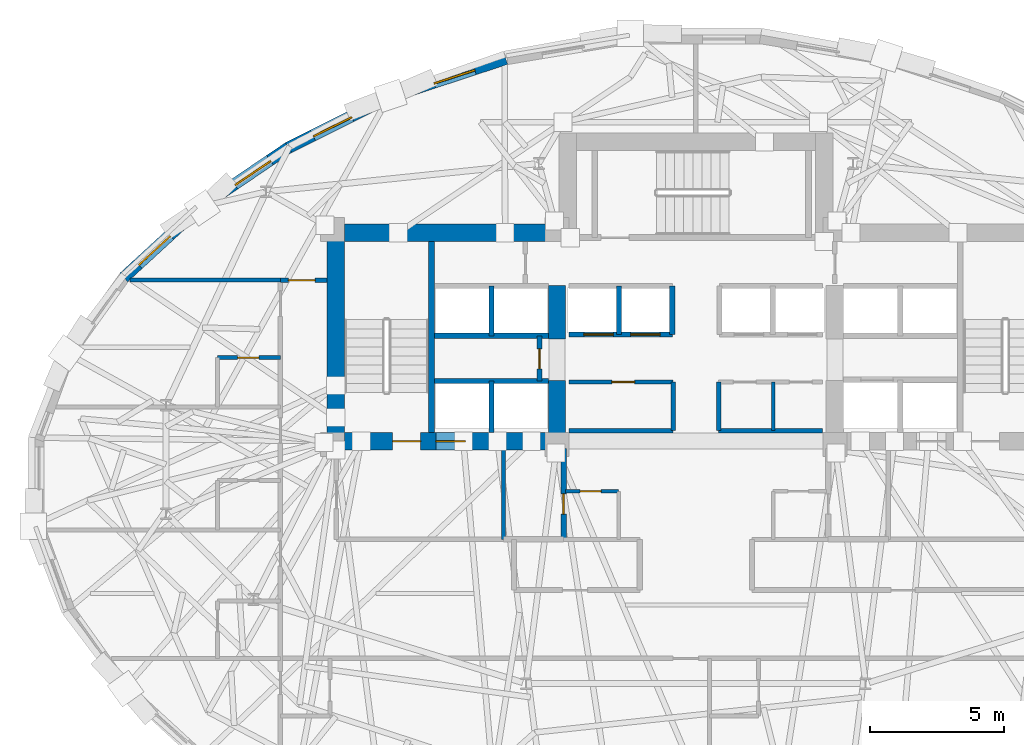
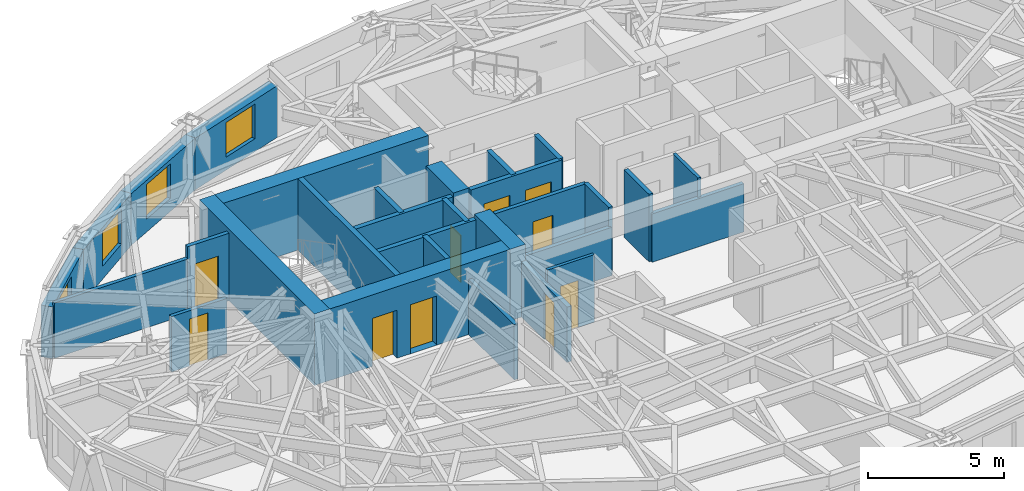
# One storey, part 7 of 14: 30 walls, 10 doors, 4 windows, 14 openings.
"""IFC4 building model written with IfcOpenShell, lengths in metres."""

from ifc_helpers import new_model, si_unit, direction, frame, frame_2d, origin, place, context, subcontext, project, spatial, rectangle, extrude, material, layer, layer_set, type_object, element, fill, save


model = new_model("IFC4")

# Units and contexts
model_context = context("Model", 3, precision=1e-05, world=origin(), true_north=direction((0.0, 1.0)))
body_context = subcontext(model_context, "Body", "Model", "MODEL_VIEW")
ifc_project = project(units=[si_unit("LENGTHUNIT", "METRE"), si_unit("AREAUNIT", "SQUARE_METRE"), si_unit("VOLUMEUNIT", "CUBIC_METRE"), si_unit("PLANEANGLEUNIT", "RADIAN"), si_unit("MASSUNIT", "GRAM", prefix="KILO")], contexts=[model_context])

# Site, building, storey
site_placement = place(None, origin())
site = spatial("IfcSite", under=ifc_project, at=site_placement, CompositionType="ELEMENT")
building_placement = place(site_placement, origin())
building = spatial("IfcBuilding", under=site, at=building_placement, Name="Keldmark Tower", CompositionType="ELEMENT")
storey_placement = place(building_placement, frame((0.0, 0.0, 172.60009765625)))
storey = spatial("IfcBuildingStorey", under=building, at=storey_placement, Name="L47", CompositionType="ELEMENT", Elevation=172.60009765625)

# Wall, opening, door
ifc_material_1 = material(Name="Acoustic Gypsum Board Interior Partition", Category="gypsum")
ifc_layer_1 = layer(ifc_material_1, 0.1298828125)
ifc_layer_set_1 = layer_set([ifc_layer_1], Name="Acoustic Gypsum Board Interior Partition")
wall_type_1 = type_object("IfcWallType", Name="Interior Partition 130 mm", PredefinedType="PARTITIONING", material=ifc_layer_set_1)
wall_1_placement = place(storey_placement, frame((-4.8798828125, -0.35009765625, 0.0), z_axis=(0.0, 0.0, 1.0), x_axis=(1.0, 0.0, 0.0)))
wall_1 = element("IfcWall", 1, at=wall_1_placement, inside=storey, type_object=wall_type_1, Name="L47 Interior Partition 130 mm CSC-W-N", PredefinedType="PARTITIONING", context=body_context, shape_type="SweptSolid", body=[
    extrude(rectangle(XDim=1.989990234375, YDim=0.1298828125, at=frame_2d((0.9951171875, 0.0))), origin(), (0.0, 0.0, 1.0), 3.02001953125),
])
opening_1_placement = place(wall_1_placement, frame((0.550048828125, 0.0, 0.0)))
opening_1 = element("IfcOpeningElement", 2, at=opening_1_placement, cuts=wall_1, Name="Opening D-CL078", PredefinedType="OPENING", context=body_context, shape_type="SweptSolid", body=[
    extrude(rectangle(XDim=0.780029296875, YDim=2.10009765625, at=frame_2d((0.39013671875, 1.050048828125))), frame((0.0, 0.074951171875, 0.0), z_axis=(0.0, -1.0, 0.0), x_axis=(1.0, 0.0, 0.0)), (0.0, 0.0, 1.0), 0.14990234375),
])
ifc_material_2 = material(Name="Flush Utility Closet Timber Door", Category="wood")
door_type_1 = type_object("IfcDoorType", Name="Closet Door 780x2100", OperationType="NOTDEFINED", PredefinedType="DOOR", material=ifc_material_2)
door_1_placement = place(opening_1_placement, origin())
door_1 = element("IfcDoor", 3, at=door_1_placement, inside=storey, type_object=door_type_1, Name="L47 Closet Door 780x2100 D-CSCW1-L47", OperationType="SINGLE_SWING_LEFT", OverallHeight=2.10009765625, OverallWidth=0.780029296875, PredefinedType="DOOR", context=body_context, shape_type="SweptSolid", body=[
    extrude(rectangle(XDim=0.780029296875, YDim=2.10009765625, at=frame_2d((0.39013671875, 1.050048828125))), frame((0.0, 0.02490234375, 0.0), z_axis=(0.0, -1.0, 0.0), x_axis=(1.0, 0.0, 0.0)), (0.0, 0.0, 1.0), 0.050048828125),
])
fill(opening_1, door_1)

# Walls
wall_2_placement = place(storey_placement, frame((2.89990234375, 1.919921875, 0.0), z_axis=(0.0, 0.0, 1.0), x_axis=(0.0, 1.0, 0.0)))
element("IfcWall", 4, at=wall_2_placement, inside=storey, type_object=wall_type_1, Name="L47 Interior Partition 130 mm REC-LE-M", PredefinedType="PARTITIONING", context=body_context, shape_type="SweptSolid", body=[
    extrude(rectangle(XDim=1.820068359375, YDim=0.1298828125, at=frame_2d((0.91015625, 0.0))), origin(), (0.0, 0.0, 1.0), 3.02001953125),
])
ifc_material_3 = material(Name="Type X Fire-Rated Gypsum Partition Assembly", Category="gypsum")
ifc_layer_2 = layer(ifc_material_3, 0.1650390625)
ifc_layer_set_2 = layer_set([ifc_layer_2], Name="Type X Fire-Rated Gypsum Partition Assembly")
wall_type_2 = type_object("IfcWallType", Name="Rated Partition 165 mm", PredefinedType="PARTITIONING", material=ifc_layer_set_2)
wall_3_placement = place(storey_placement, frame((-7.199951171875, -2.14990234375, 0.0), z_axis=(0.0, 0.0, 1.0), x_axis=(0.0, 1.0, 0.0)))
element("IfcWall", 5, at=wall_3_placement, inside=storey, type_object=wall_type_2, Name="L47 Rated Partition 165 mm FSAE-W-E", PredefinedType="PARTITIONING", context=body_context, shape_type="SweptSolid", body=[
    extrude(rectangle(XDim=3.39990234375, YDim=0.1650390625, at=frame_2d((1.699951171875, 0.0))), origin(), (0.0, 0.0, 1.0), 2.472900390625),
])
wall_4_placement = place(storey_placement, frame((-4.739990234375, 1.919921875, 0.0), z_axis=(0.0, 0.0, 1.0), x_axis=(1.0, 0.0, 0.0)))
element("IfcWall", 6, at=wall_4_placement, inside=storey, type_object=wall_type_2, Name="L47 Rated Partition 165 mm REC-LW-S", PredefinedType="PARTITIONING", context=body_context, shape_type="SweptSolid", body=[
    extrude(rectangle(XDim=3.889892578125, YDim=0.1650390625, at=frame_2d((1.94482421875, 0.0))), origin(), (0.0, 0.0, 1.0), 2.159912109375),
])

# Wall, opening, door
wall_5_placement = place(storey_placement, frame((-4.739990234375, 3.739990234375, 0.0), z_axis=(0.0, 0.0, 1.0), x_axis=(1.0, 0.0, 0.0)))
wall_5 = element("IfcWall", 7, at=wall_5_placement, inside=storey, type_object=wall_type_2, Name="L47 Rated Partition 165 mm REC-LW-N", PredefinedType="PARTITIONING", context=body_context, shape_type="SweptSolid", body=[
    extrude(rectangle(XDim=3.889892578125, YDim=0.1650390625, at=frame_2d((1.94482421875, 0.0))), origin(), (0.0, 0.0, 1.0), 3.02001953125),
])
opening_2_placement = place(wall_5_placement, frame((1.60009765625, 0.0, 0.0)))
opening_2 = element("IfcOpeningElement", 8, at=opening_2_placement, cuts=wall_5, Name="Opening D-SV085", PredefinedType="OPENING", context=body_context, shape_type="SweptSolid", body=[
    extrude(rectangle(XDim=0.85009765625, YDim=2.10009765625, at=frame_2d((0.425048828125, 1.050048828125))), frame((0.0, 0.092529296875, 0.0), z_axis=(0.0, -1.0, 0.0), x_axis=(1.0, 0.0, 0.0)), (0.0, 0.0, 1.0), 0.18505859375),
])
ifc_material_4 = material(Name="Painted Hollow Metal Door Assembly", Category="metal")
door_type_2 = type_object("IfcDoorType", Name="Service Door 850x2100", OperationType="NOTDEFINED", PredefinedType="DOOR", material=ifc_material_4)
door_2_placement = place(opening_2_placement, origin())
door_2 = element("IfcDoor", 9, at=door_2_placement, inside=storey, type_object=door_type_2, Name="L47 Service Door 850x2100 D-RECLW1-L47", OperationType="SINGLE_SWING_LEFT", OverallHeight=2.10009765625, OverallWidth=0.85009765625, PredefinedType="DOOR", context=body_context, shape_type="SweptSolid", body=[
    extrude(rectangle(XDim=0.85009765625, YDim=2.10009765625, at=frame_2d((0.425048828125, 1.050048828125))), frame((0.0, 0.02490234375, 0.0), z_axis=(0.0, -1.0, 0.0), x_axis=(1.0, 0.0, 0.0)), (0.0, 0.0, 1.0), 0.050048828125),
])
fill(opening_2, door_2)

# Walls
wall_6_placement = place(storey_placement, frame((-0.85009765625, 1.919921875, 0.0), z_axis=(0.0, 0.0, 1.0), x_axis=(0.0, 1.0, 0.0)))
element("IfcWall", 10, at=wall_6_placement, inside=storey, type_object=wall_type_2, Name="L47 Rated Partition 165 mm REC-LW-E", PredefinedType="PARTITIONING", context=body_context, shape_type="SweptSolid", body=[
    extrude(rectangle(XDim=1.820068359375, YDim=0.1650390625, at=frame_2d((0.91015625, 0.0))), origin(), (0.0, 0.0, 1.0), 3.02001953125),
])
wall_7_placement = place(storey_placement, frame((0.85009765625, 1.919921875, 0.0), z_axis=(0.0, 0.0, 1.0), x_axis=(1.0, 0.0, 0.0)))
element("IfcWall", 11, at=wall_7_placement, inside=storey, type_object=wall_type_2, Name="L47 Rated Partition 165 mm REC-LE-S", PredefinedType="PARTITIONING", context=body_context, shape_type="SweptSolid", body=[
    extrude(rectangle(XDim=3.889892578125, YDim=0.1650390625, at=frame_2d((1.94482421875, 0.0))), origin(), (0.0, 0.0, 1.0), 2.159912109375),
])
wall_8_placement = place(storey_placement, frame((0.85009765625, 1.919921875, 0.0), z_axis=(0.0, 0.0, 1.0), x_axis=(0.0, 1.0, 0.0)))
element("IfcWall", 12, at=wall_8_placement, inside=storey, type_object=wall_type_2, Name="L47 Rated Partition 165 mm REC-LE-W", PredefinedType="PARTITIONING", context=body_context, shape_type="SweptSolid", body=[
    extrude(rectangle(XDim=1.820068359375, YDim=0.1650390625, at=frame_2d((0.91015625, 0.0))), origin(), (0.0, 0.0, 1.0), 3.02001953125),
])

# Wall, opening, door
wall_9_placement = place(storey_placement, frame((-15.550048828125, 7.550048828125, 0.0), z_axis=(0.0, 0.0, 1.0), x_axis=(1.0, 0.0, 0.0)))
wall_9 = element("IfcWall", 13, at=wall_9_placement, inside=storey, type_object=wall_type_2, Name="L47 Rated Partition 165 mm HCOR-WN", PredefinedType="PARTITIONING", context=body_context, shape_type="SweptSolid", body=[
    extrude(rectangle(XDim=1.75, YDim=0.1650390625, at=frame_2d((0.875, 0.0))), origin(), (0.0, 0.0, 1.0), 3.02001953125),
])
opening_3_placement = place(wall_9_placement, frame((0.300048828125, 0.0, 0.0)))
opening_3 = element("IfcOpeningElement", 14, at=opening_3_placement, cuts=wall_9, Name="Opening D-FD100", PredefinedType="OPENING", context=body_context, shape_type="SweptSolid", body=[
    extrude(rectangle(XDim=1.0, YDim=2.14990234375, at=frame_2d((0.5, 1.074951171875))), frame((0.0, 0.092529296875, 0.0), z_axis=(0.0, -1.0, 0.0), x_axis=(1.0, 0.0, 0.0)), (0.0, 0.0, 1.0), 0.18505859375),
])
ifc_material_5 = material(Name="Hollow Metal Fire-Rated Corridor Door", Category="metal")
door_type_3 = type_object("IfcDoorType", Name="Fire Door 1000x2150", OperationType="NOTDEFINED", PredefinedType="DOOR", material=ifc_material_5)
door_3_placement = place(opening_3_placement, origin())
door_3 = element("IfcDoor", 15, at=door_3_placement, inside=storey, type_object=door_type_3, Name="L47 Fire Door 1000x2150 D-HNNW-L47", OperationType="SINGLE_SWING_LEFT", OverallHeight=2.14990234375, OverallWidth=1.0, PredefinedType="DOOR", context=body_context, shape_type="SweptSolid", body=[
    extrude(rectangle(XDim=1.0, YDim=2.14990234375, at=frame_2d((0.5, 1.074951171875))), frame((0.0, 0.02490234375, 0.0), z_axis=(0.0, -1.0, 0.0), x_axis=(1.0, 0.0, 0.0)), (0.0, 0.0, 1.0), 0.050048828125),
])
fill(opening_3, door_3)

ifc_material_6 = material(Name="Fire-Resistant Type X Gypsum Shaftliner Coreboard", Category="gypsum")
ifc_layer_3 = layer(ifc_material_6, 0.199951171875)
ifc_layer_set_3 = layer_set([ifc_layer_3], Name="Fire-Resistant Type X Gypsum Shaftliner Coreboard")
wall_type_3 = type_object("IfcWallType", Name="Shaft Wall 200 mm", PredefinedType="SOLIDWALL", material=ifc_layer_set_3)
wall_10_placement = place(storey_placement, frame((-4.949951171875, -2.14990234375, 0.0), z_axis=(0.0, 0.0, 1.0), x_axis=(0.0, 1.0, 0.0)))
wall_10 = element("IfcWall", 16, at=wall_10_placement, inside=storey, type_object=wall_type_3, Name="L47 Shaft Wall 200 mm RIS-SW-E", PredefinedType="SOLIDWALL", context=body_context, shape_type="SweptSolid", body=[
    extrude(rectangle(XDim=3.39990234375, YDim=0.199951171875, at=frame_2d((1.699951171875, 0.0))), origin(), (0.0, 0.0, 1.0), 2.472900390625),
])
opening_4_placement = place(wall_10_placement, frame((0.949951171875, 0.0, 0.0)))
opening_4 = element("IfcOpeningElement", 17, at=opening_4_placement, cuts=wall_10, Name="Opening D-RS075", PredefinedType="OPENING", context=body_context, shape_type="SweptSolid", body=[
    extrude(rectangle(XDim=0.75, YDim=2.10009765625, at=frame_2d((0.375, 1.050048828125))), frame((0.0, 0.10986328125, 0.0), z_axis=(0.0, -1.0, 0.0), x_axis=(1.0, 0.0, 0.0)), (0.0, 0.0, 1.0), 0.219970703125),
])
ifc_material_7 = material(Name="Galvanized Fire-Rated Access Leaf", Category="metal")
door_type_4 = type_object("IfcDoorType", Name="Riser Access Door 750x2100", OperationType="NOTDEFINED", PredefinedType="DOOR", material=ifc_material_7)
door_4_placement = place(opening_4_placement, origin())
door_4 = element("IfcDoor", 18, at=door_4_placement, inside=storey, type_object=door_type_4, Name="L47 Riser Access Door 750x2100 D-RISSW-L47", OperationType="SINGLE_SWING_RIGHT", OverallHeight=2.10009765625, OverallWidth=0.75, PredefinedType="DOOR", context=body_context, shape_type="SweptSolid", body=[
    extrude(rectangle(XDim=0.75, YDim=2.10009765625, at=frame_2d((0.375, 1.050048828125))), frame((0.0, 0.02490234375, 0.0), z_axis=(0.0, -1.0, 0.0), x_axis=(1.0, 0.0, 0.0)), (0.0, 0.0, 1.0), 0.050048828125),
])
fill(opening_4, door_4)

# Walls
wall_11_placement = place(storey_placement, frame((-9.780029296875, 3.780029296875, 0.0), z_axis=(0.0, 0.0, 1.0), x_axis=(1.0, 0.0, 0.0)))
element("IfcWall", 19, at=wall_11_placement, inside=storey, type_object=wall_type_3, Name="L47 Shaft Wall 200 mm HW-W-S", PredefinedType="SOLIDWALL", context=body_context, shape_type="SweptSolid", body=[
    extrude(rectangle(XDim=4.255126953125, YDim=0.199951171875, at=frame_2d((2.12744140625, 0.0))), origin(), (0.0, 0.0, 1.0), 3.02001953125),
])
wall_12_placement = place(storey_placement, frame((-7.64990234375, 1.85009765625, 0.0), z_axis=(0.0, 0.0, 1.0), x_axis=(0.0, 1.0, 0.0)))
element("IfcWall", 20, at=wall_12_placement, inside=storey, type_object=wall_type_3, Name="L47 Shaft Wall 200 mm HW-W-M", PredefinedType="SOLIDWALL", context=body_context, shape_type="SweptSolid", body=[
    extrude(rectangle(XDim=1.929931640625, YDim=0.199951171875, at=frame_2d((0.96484375, 0.0))), origin(), (0.0, 0.0, 1.0), 3.02001953125),
])
wall_13_placement = place(storey_placement, frame((-9.780029296875, 5.469970703125, 0.0), z_axis=(0.0, 0.0, 1.0), x_axis=(1.0, 0.0, 0.0)))
element("IfcWall", 21, at=wall_13_placement, inside=storey, type_object=wall_type_3, Name="L47 Shaft Wall 200 mm HW-W-N", PredefinedType="SOLIDWALL", context=body_context, shape_type="SweptSolid", body=[
    extrude(rectangle(XDim=4.255126953125, YDim=0.199951171875, at=frame_2d((2.12744140625, 0.0))), origin(), (0.0, 0.0, 1.0), 3.02001953125),
])
wall_14_placement = place(storey_placement, frame((-7.64990234375, 5.469970703125, 0.0), z_axis=(0.0, 0.0, 1.0), x_axis=(0.0, 1.0, 0.0)))
element("IfcWall", 22, at=wall_14_placement, inside=storey, type_object=wall_type_3, Name="L47 Shaft Wall 200 mm HW-W-NM", PredefinedType="SOLIDWALL", context=body_context, shape_type="SweptSolid", body=[
    extrude(rectangle(XDim=1.860107421875, YDim=0.199951171875, at=frame_2d((0.93017578125, 0.0))), origin(), (0.0, 0.0, 1.0), 3.02001953125),
])

# Wall, opening, door
wall_15_placement = place(storey_placement, frame((-5.85009765625, 3.780029296875, 0.0), z_axis=(0.0, 0.0, 1.0), x_axis=(0.0, 1.0, 0.0)))
wall_15 = element("IfcWall", 23, at=wall_15_placement, inside=storey, type_object=wall_type_3, Name="L47 Shaft Wall 200 mm HW-W-CLOSE", PredefinedType="SOLIDWALL", context=body_context, shape_type="SweptSolid", body=[
    extrude(rectangle(XDim=1.68994140625, YDim=0.199951171875, at=frame_2d((0.844970703125, 0.0))), origin(), (0.0, 0.0, 1.0), 3.02001953125),
])
opening_5_placement = place(wall_15_placement, frame((0.449951171875, 0.0, 0.0)))
opening_5 = element("IfcOpeningElement", 24, at=opening_5_placement, cuts=wall_15, Name="Opening D-RS075", PredefinedType="OPENING", context=body_context, shape_type="SweptSolid", body=[
    extrude(rectangle(XDim=0.75, YDim=2.10009765625, at=frame_2d((0.375, 1.050048828125))), frame((0.0, 0.10986328125, 0.0), z_axis=(0.0, -1.0, 0.0), x_axis=(1.0, 0.0, 0.0)), (0.0, 0.0, 1.0), 0.219970703125),
])
door_5_placement = place(opening_5_placement, origin())
door_5 = element("IfcDoor", 25, at=door_5_placement, inside=storey, type_object=door_type_4, Name="L47 Riser Access Door 750x2100 D-RISHW-L47", OperationType="SINGLE_SWING_RIGHT", OverallHeight=2.10009765625, OverallWidth=0.75, PredefinedType="DOOR", context=body_context, shape_type="SweptSolid", body=[
    extrude(rectangle(XDim=0.75, YDim=2.10009765625, at=frame_2d((0.375, 1.050048828125))), frame((0.0, 0.02490234375, 0.0), z_axis=(0.0, -1.0, 0.0), x_axis=(1.0, 0.0, 0.0)), (0.0, 0.0, 1.0), 0.050048828125),
])
fill(opening_5, door_5)

# Wall, openings, doors
wall_16_placement = place(storey_placement, frame((-4.739990234375, 5.52001953125, 0.0), z_axis=(0.0, 0.0, 1.0), x_axis=(1.0, 0.0, 0.0)))
wall_16 = element("IfcWall", 26, at=wall_16_placement, inside=storey, type_object=wall_type_3, Name="L47 Shaft Wall 200 mm MID-S-W", PredefinedType="SOLIDWALL", context=body_context, shape_type="SweptSolid", body=[
    extrude(rectangle(XDim=3.860107421875, YDim=0.199951171875, at=frame_2d((1.93017578125, 0.0))), origin(), (0.0, 0.0, 1.0), 3.02001953125),
])
opening_6_placement = place(wall_16_placement, frame((0.550048828125, 0.0, 0.0)))
opening_6 = element("IfcOpeningElement", 27, at=opening_6_placement, cuts=wall_16, Name="Opening LD-110", PredefinedType="OPENING", context=body_context, shape_type="SweptSolid", body=[
    extrude(rectangle(XDim=1.10009765625, YDim=2.199951171875, at=frame_2d((0.550048828125, 1.10009765625))), frame((0.0, 0.10986328125, 0.0), z_axis=(0.0, -1.0, 0.0), x_axis=(1.0, 0.0, 0.0)), (0.0, 0.0, 1.0), 0.219970703125),
])
opening_7_placement = place(wall_16_placement, frame((2.300048828125, 0.0, 0.0)))
opening_7 = element("IfcOpeningElement", 28, at=opening_7_placement, cuts=wall_16, Name="Opening LD-110", PredefinedType="OPENING", context=body_context, shape_type="SweptSolid", body=[
    extrude(rectangle(XDim=1.10009765625, YDim=2.199951171875, at=frame_2d((0.550048828125, 1.10009765625))), frame((0.0, 0.10986328125, 0.0), z_axis=(0.0, -1.0, 0.0), x_axis=(1.0, 0.0, 0.0)), (0.0, 0.0, 1.0), 0.219970703125),
])
ifc_material_8 = material(Name="Brushed Bronze Hoistway Sliding Leaf", Category="metal")
door_type_5 = type_object("IfcDoorType", Name="Lift Landing Sliding Door 1100x2200", OperationType="SLIDING_TO_LEFT", PredefinedType="DOOR", material=ifc_material_8)
door_6_placement = place(opening_6_placement, origin())
door_6 = element("IfcDoor", 29, at=door_6_placement, inside=storey, type_object=door_type_5, Name="L47 Lift Landing Sliding Door 1100x2200 LD-EL-M1-L47", OperationType="SLIDING_TO_LEFT", OverallHeight=2.199951171875, OverallWidth=1.10009765625, PredefinedType="DOOR", context=body_context, shape_type="SweptSolid", body=[
    extrude(rectangle(XDim=1.10009765625, YDim=2.199951171875, at=frame_2d((0.550048828125, 1.10009765625))), frame((0.0, 0.02490234375, 0.0), z_axis=(0.0, -1.0, 0.0), x_axis=(1.0, 0.0, 0.0)), (0.0, 0.0, 1.0), 0.050048828125),
])
fill(opening_6, door_6)
door_7_placement = place(opening_7_placement, origin())
door_7 = element("IfcDoor", 30, at=door_7_placement, inside=storey, type_object=door_type_5, Name="L47 Lift Landing Sliding Door 1100x2200 LD-EL-M2-L47", OperationType="SLIDING_TO_LEFT", OverallHeight=2.199951171875, OverallWidth=1.10009765625, PredefinedType="DOOR", context=body_context, shape_type="SweptSolid", body=[
    extrude(rectangle(XDim=1.10009765625, YDim=2.199951171875, at=frame_2d((0.550048828125, 1.10009765625))), frame((0.0, 0.02490234375, 0.0), z_axis=(0.0, -1.0, 0.0), x_axis=(1.0, 0.0, 0.0)), (0.0, 0.0, 1.0), 0.050048828125),
])
fill(opening_7, door_7)

# Walls
for number, where, z_axis, x_axis, name in (
    (31, (-2.8798828125, 5.52001953125, 0.0), (0.0, 0.0, 1.0), (0.0, 1.0, 0.0), "L47 Shaft Wall 200 mm MID-M-W"),
    (32, (-0.8798828125, 5.52001953125, 0.0), (0.0, 0.0, 1.0), (0.0, 1.0, 0.0), "L47 Shaft Wall 200 mm MID-C-W"),
):
    element("IfcWall", number, at=place(storey_placement, frame(where, z_axis=z_axis, x_axis=x_axis)), inside=storey, type_object=wall_type_3, Name=name, PredefinedType="SOLIDWALL", context=body_context, shape_type="SweptSolid", body=[
        extrude(rectangle(XDim=1.81005859375, YDim=0.199951171875, at=frame_2d((0.905029296875, 0.0))), origin(), (0.0, 0.0, 1.0), 3.02001953125),
    ])
ifc_material_9 = material(Name="Concrete C50/60", Category="concrete")
ifc_layer_4 = layer(ifc_material_9, 0.219970703125)
ifc_layer_set_4 = layer_set([ifc_layer_4], Name="Concrete C50/60")
wall_type_4 = type_object("IfcWallType", Name="Stair Core Shear Wall 220 mm", PredefinedType="SHEAR", material=ifc_layer_set_4)
wall_17_placement = place(storey_placement, frame((-9.889892578125, 1.85009765625, 0.0), z_axis=(0.0, 0.0, 1.0), x_axis=(0.0, 1.0, 0.0)))
element("IfcWall", 33, at=wall_17_placement, inside=storey, type_object=wall_type_4, Name="L47 West Stair Core Shear Wall", PredefinedType="SHEAR", context=body_context, shape_type="SweptSolid", body=[
    extrude(rectangle(XDim=7.14990234375, YDim=0.219970703125, at=frame_2d((3.574951171875, 0.0))), origin(), (0.0, 0.0, 1.0), 3.199951171875),
])

# Wall, opening, window
ifc_material_10 = material(Name="Ironspot Manganese Brick and Kasota Buff Limestone Spandrel Assembly", Category="masonry")
ifc_layer_5 = layer(ifc_material_10, 0.43994140625)
ifc_layer_set_5 = layer_set([ifc_layer_5], Name="Ironspot Manganese Brick and Kasota Buff Limestone Spandrel Assembly")
wall_type_5 = type_object("IfcWallType", Name="Tower Brick Pier and Spandrel Wall 440 mm", PredefinedType="STANDARD", material=ifc_layer_set_5)
wall_18_placement = place(storey_placement, frame((-11.455078125, 14.406005859375, 0.0), z_axis=(0.0, 0.0, 1.0), x_axis=(0.950025190485, 0.312173249084, 0.0)))
wall_18 = element("IfcWall", 34, at=wall_18_placement, inside=storey, type_object=wall_type_5, Name="L47 Exterior Brick and Spandrel Wall 10", PredefinedType="STANDARD", context=body_context, shape_type="SweptSolid", body=[
    extrude(rectangle(XDim=4.573486328125, YDim=0.43994140625, at=frame_2d((2.28662109375, 0.0))), origin(), (0.0, 0.0, 1.0), 2.31494140625),
])
opening_8_placement = place(wall_18_placement, frame((1.734130859375, 0.0, 0.580078125)))
opening_8 = element("IfcOpeningElement", 35, at=opening_8_placement, cuts=wall_18, Name="Opening W-04", PredefinedType="OPENING", context=body_context, shape_type="SweptSolid", body=[
    extrude(rectangle(XDim=1.60009765625, YDim=1.550048828125, at=frame_2d((0.800048828125, 0.77490234375))), frame((0.0, 0.22998046875, 0.0), z_axis=(0.0, -1.0, 0.0), x_axis=(1.0, 0.0, 0.0)), (0.0, 0.0, 1.0), 0.4599609375),
])
ifc_material_11 = material(Name="Thermally Broken Anodized Aluminum and Triple Low-E Argon Glazing", Category="aluminium")
window_type = type_object("IfcWindowType", Name="Hotel Deep-Set Operable Window 1600x1550", PartitioningType="DOUBLE_PANEL_HORIZONTAL", PredefinedType="WINDOW", material=ifc_material_11)
window_1_placement = place(opening_8_placement, origin())
window_1 = element("IfcWindow", 36, at=window_1_placement, inside=storey, type_object=window_type, Name="L47 Deep-Set Window 10", OverallHeight=1.550048828125, OverallWidth=1.60009765625, PartitioningType="SINGLE_PANEL", PredefinedType="WINDOW", context=body_context, shape_type="SweptSolid", body=[
    extrude(rectangle(XDim=1.60009765625, YDim=1.550048828125, at=frame_2d((0.800048828125, 0.77490234375))), frame((0.0, -0.010009765625, 0.0), z_axis=(0.0, -1.0, 0.0), x_axis=(1.0, 0.0, 0.0)), (0.0, 0.0, 1.0), 0.06005859375),
])
fill(opening_8, window_1)

wall_19_placement = place(storey_placement, frame((-15.2685546875, 12.49658203125, 0.0), z_axis=(0.0, 0.0, 1.0), x_axis=(0.894427191, 0.4472135955, 0.0)))
wall_19 = element("IfcWall", 37, at=wall_19_placement, inside=storey, type_object=wall_type_5, Name="L47 Exterior Brick and Spandrel Wall 11", PredefinedType="STANDARD", context=body_context, shape_type="SweptSolid", body=[
    extrude(rectangle(XDim=4.296875, YDim=0.43994140625, at=frame_2d((2.1484375, 0.0))), origin(), (0.0, 0.0, 1.0), 2.31494140625),
])
opening_9_placement = place(wall_19_placement, frame((1.048828125, 0.0, 0.580078125)))
opening_9 = element("IfcOpeningElement", 38, at=opening_9_placement, cuts=wall_19, Name="Opening W-04", PredefinedType="OPENING", context=body_context, shape_type="SweptSolid", body=[
    extrude(rectangle(XDim=1.60009765625, YDim=1.550048828125, at=frame_2d((0.800048828125, 0.77490234375))), frame((0.0, 0.22998046875, 0.0), z_axis=(0.0, -1.0, 0.0), x_axis=(1.0, 0.0, 0.0)), (0.0, 0.0, 1.0), 0.4599609375),
])
window_2_placement = place(opening_9_placement, origin())
window_2 = element("IfcWindow", 39, at=window_2_placement, inside=storey, type_object=window_type, Name="L47 Deep-Set Window 11", OverallHeight=1.550048828125, OverallWidth=1.60009765625, PartitioningType="SINGLE_PANEL", PredefinedType="WINDOW", context=body_context, shape_type="SweptSolid", body=[
    extrude(rectangle(XDim=1.60009765625, YDim=1.550048828125, at=frame_2d((0.800048828125, 0.77490234375))), frame((0.0, -0.010009765625, 0.0), z_axis=(0.0, -1.0, 0.0), x_axis=(1.0, 0.0, 0.0)), (0.0, 0.0, 1.0), 0.06005859375),
])
fill(opening_9, window_2)

wall_20_placement = place(storey_placement, frame((-18.601318359375, 10.235107421875, 0.0), z_axis=(0.0, 0.0, 1.0), x_axis=(0.827757295322, 0.561086321382, 0.0)))
wall_20 = element("IfcWall", 40, at=wall_20_placement, inside=storey, type_object=wall_type_5, Name="L47 Exterior Brick and Spandrel Wall 12", PredefinedType="STANDARD", context=body_context, shape_type="SweptSolid", body=[
    extrude(rectangle(XDim=4.056640625, YDim=0.43994140625, at=frame_2d((2.0283203125, 0.0))), origin(), (0.0, 0.0, 1.0), 2.31494140625),
])
opening_10_placement = place(wall_20_placement, frame((1.6201171875, 0.0, 0.580078125)))
opening_10 = element("IfcOpeningElement", 41, at=opening_10_placement, cuts=wall_20, Name="Opening W-04", PredefinedType="OPENING", context=body_context, shape_type="SweptSolid", body=[
    extrude(rectangle(XDim=1.60009765625, YDim=1.550048828125, at=frame_2d((0.800048828125, 0.77490234375))), frame((0.0, 0.22998046875, 0.0), z_axis=(0.0, -1.0, 0.0), x_axis=(1.0, 0.0, 0.0)), (0.0, 0.0, 1.0), 0.4599609375),
])
window_3_placement = place(opening_10_placement, origin())
window_3 = element("IfcWindow", 42, at=window_3_placement, inside=storey, type_object=window_type, Name="L47 Deep-Set Window 12", OverallHeight=1.550048828125, OverallWidth=1.60009765625, PartitioningType="SINGLE_PANEL", PredefinedType="WINDOW", context=body_context, shape_type="SweptSolid", body=[
    extrude(rectangle(XDim=1.60009765625, YDim=1.550048828125, at=frame_2d((0.800048828125, 0.77490234375))), frame((0.0, -0.010009765625, 0.0), z_axis=(0.0, -1.0, 0.0), x_axis=(1.0, 0.0, 0.0)), (0.0, 0.0, 1.0), 0.06005859375),
])
fill(opening_10, window_3)

wall_21_placement = place(storey_placement, frame((-21.410400390625, 7.64990234375, 0.0), z_axis=(0.0, 0.0, 1.0), x_axis=(0.736282263947, 0.676674536093, 0.0)))
wall_21 = element("IfcWall", 43, at=wall_21_placement, inside=storey, type_object=wall_type_5, Name="L47 Exterior Brick and Spandrel Wall 13", PredefinedType="STANDARD", context=body_context, shape_type="SweptSolid", body=[
    extrude(rectangle(XDim=3.85009765625, YDim=0.43994140625, at=frame_2d((1.925048828125, 0.0))), origin(), (0.0, 0.0, 1.0), 2.31494140625),
])
opening_11_placement = place(wall_21_placement, frame((0.735595703125, 0.0, 0.580078125)))
opening_11 = element("IfcOpeningElement", 44, at=opening_11_placement, cuts=wall_21, Name="Opening W-04", PredefinedType="OPENING", context=body_context, shape_type="SweptSolid", body=[
    extrude(rectangle(XDim=1.60009765625, YDim=1.550048828125, at=frame_2d((0.800048828125, 0.77490234375))), frame((0.0, 0.22998046875, 0.0), z_axis=(0.0, -1.0, 0.0), x_axis=(1.0, 0.0, 0.0)), (0.0, 0.0, 1.0), 0.4599609375),
])
window_4_placement = place(opening_11_placement, origin())
window_4 = element("IfcWindow", 45, at=window_4_placement, inside=storey, type_object=window_type, Name="L47 Deep-Set Window 13", OverallHeight=1.550048828125, OverallWidth=1.60009765625, PartitioningType="SINGLE_PANEL", PredefinedType="WINDOW", context=body_context, shape_type="SweptSolid", body=[
    extrude(rectangle(XDim=1.60009765625, YDim=1.550048828125, at=frame_2d((0.800048828125, 0.77490234375))), frame((0.0, -0.010009765625, 0.0), z_axis=(0.0, -1.0, 0.0), x_axis=(1.0, 0.0, 0.0)), (0.0, 0.0, 1.0), 0.06005859375),
])
fill(opening_11, window_4)

# Walls
ifc_material_12 = material(Name="Concrete C50/60", Category="concrete")
ifc_layer_6 = layer(ifc_material_12, 0.64990234375)
ifc_layer_set_6 = layer_set([ifc_layer_6], Name="Concrete C50/60")
wall_type_6 = type_object("IfcWallType", Name="Upper-Mid Core Shear Wall 650 mm", PredefinedType="SHEAR", material=ifc_layer_set_6)
wall_22_placement = place(storey_placement, frame((-13.47509765625, 1.199951171875, 0.0), z_axis=(0.0, 0.0, 1.0), x_axis=(0.0, 1.0, 0.0)))
element("IfcWall", 46, at=wall_22_placement, inside=storey, type_object=wall_type_6, Name="L47 West Core Outer Shear Wall", PredefinedType="SHEAR", context=body_context, shape_type="SweptSolid", body=[
    extrude(rectangle(XDim=8.449951171875, YDim=0.64990234375, at=frame_2d((4.22509765625, 0.0))), origin(), (0.0, 0.0, 1.0), 3.199951171875),
])
wall_23_placement = place(storey_placement, frame((-13.800048828125, 9.324951171875, 0.0), z_axis=(0.0, 0.0, 1.0), x_axis=(1.0, 0.0, 0.0)))
element("IfcWall", 47, at=wall_23_placement, inside=storey, type_object=wall_type_6, Name="L47 West Core North Shear Wall", PredefinedType="SHEAR", context=body_context, shape_type="SweptSolid", body=[
    extrude(rectangle(XDim=9.324951171875, YDim=0.64990234375, at=frame_2d((4.66259765625, 0.0))), origin(), (0.0, 0.0, 1.0), 3.199951171875),
])

# Wall, openings, doors
wall_24_placement = place(storey_placement, frame((-4.875, 1.52490234375, 0.0), z_axis=(0.0, 0.0, 1.0), x_axis=(-1.0, 0.0, 0.0)))
wall_24 = element("IfcWall", 48, at=wall_24_placement, inside=storey, type_object=wall_type_6, Name="L47 West Core South Shear Wall", PredefinedType="SHEAR", context=body_context, shape_type="SweptSolid", body=[
    extrude(rectangle(XDim=8.925048828125, YDim=0.64990234375, at=frame_2d((4.46240234375, 0.0))), origin(), (0.0, 0.0, 1.0), 3.199951171875),
])
opening_12_placement = place(wall_24_placement, frame((5.425048828125, 0.0, 0.0)))
opening_12 = element("IfcOpeningElement", 49, at=opening_12_placement, cuts=wall_24, Name="Opening D-ST105", PredefinedType="OPENING", context=body_context, shape_type="SweptSolid", body=[
    extrude(rectangle(XDim=1.050048828125, YDim=2.14990234375, at=frame_2d((0.52490234375, 1.074951171875))), frame((0.0, 0.3349609375, 0.0), z_axis=(0.0, -1.0, 0.0), x_axis=(1.0, 0.0, 0.0)), (0.0, 0.0, 1.0), 0.669921875),
])
opening_13_placement = place(wall_24_placement, frame((3.7548828125, 0.0, 0.0)))
opening_13 = element("IfcOpeningElement", 50, at=opening_13_placement, cuts=wall_24, Name="Opening LD-110", PredefinedType="OPENING", context=body_context, shape_type="SweptSolid", body=[
    extrude(rectangle(XDim=1.10009765625, YDim=2.199951171875, at=frame_2d((0.550048828125, 1.10009765625))), frame((0.0, 0.3349609375, 0.0), z_axis=(0.0, -1.0, 0.0), x_axis=(1.0, 0.0, 0.0)), (0.0, 0.0, 1.0), 0.669921875),
])
door_8_placement = place(opening_13_placement, origin())
door_8 = element("IfcDoor", 51, at=door_8_placement, inside=storey, type_object=door_type_5, Name="L47 Lift Landing Sliding Door 1100x2200 LD-EL-FS1-L47", OperationType="SLIDING_TO_LEFT", OverallHeight=2.199951171875, OverallWidth=1.10009765625, PredefinedType="DOOR", context=body_context, shape_type="SweptSolid", body=[
    extrude(rectangle(XDim=1.10009765625, YDim=2.199951171875, at=frame_2d((0.550048828125, 1.10009765625))), frame((0.0, 0.02490234375, 0.0), z_axis=(0.0, -1.0, 0.0), x_axis=(1.0, 0.0, 0.0)), (0.0, 0.0, 1.0), 0.050048828125),
])
fill(opening_13, door_8)
ifc_material_13 = material(Name="Hollow Metal Fire-Rated Door Assembly", Category="metal")
door_type_6 = type_object("IfcDoorType", Name="Stair Fire Door 1050x2150", OperationType="NOTDEFINED", PredefinedType="DOOR", material=ifc_material_13)
door_9_placement = place(opening_12_placement, origin())
door_9 = element("IfcDoor", 52, at=door_9_placement, inside=storey, type_object=door_type_6, Name="L47 Stair Fire Door 1050x2150 D-ST1-L47", OperationType="SINGLE_SWING_RIGHT", OverallHeight=2.14990234375, OverallWidth=1.050048828125, PredefinedType="DOOR", context=body_context, shape_type="SweptSolid", body=[
    extrude(rectangle(XDim=1.050048828125, YDim=2.14990234375, at=frame_2d((0.52490234375, 1.074951171875))), frame((0.0, 0.02490234375, 0.0), z_axis=(0.0, -1.0, 0.0), x_axis=(1.0, 0.0, 0.0)), (0.0, 0.0, 1.0), 0.050048828125),
])
fill(opening_12, door_9)

# Walls
wall_25_placement = place(storey_placement, frame((-5.199951171875, 1.199951171875, 0.0), z_axis=(0.0, 0.0, 1.0), x_axis=(0.0, 1.0, 0.0)))
element("IfcWall", 53, at=wall_25_placement, inside=storey, type_object=wall_type_6, Name="L47 West Core Inner Shear Pier South", PredefinedType="SHEAR", context=body_context, shape_type="SweptSolid", body=[
    extrude(rectangle(XDim=2.60009765625, YDim=0.64990234375, at=frame_2d((1.300048828125, 0.0))), origin(), (0.0, 0.0, 1.0), 3.199951171875),
])
wall_26_placement = place(storey_placement, frame((-5.199951171875, 5.35009765625, 0.0), z_axis=(0.0, 0.0, 1.0), x_axis=(0.0, 1.0, 0.0)))
element("IfcWall", 54, at=wall_26_placement, inside=storey, type_object=wall_type_6, Name="L47 West Core Inner Shear Pier North", PredefinedType="SHEAR", context=body_context, shape_type="SweptSolid", body=[
    extrude(rectangle(XDim=2.0, YDim=0.64990234375, at=frame_2d((1.0, 0.0))), origin(), (0.0, 0.0, 1.0), 3.199951171875),
])
ifc_material_14 = material(Name="Moisture-Resistant Gypsum Plumbing Partition", Category="gypsum")
ifc_layer_7 = layer(ifc_material_14, 0.14990234375)
ifc_layer_set_7 = layer_set([ifc_layer_7], Name="Moisture-Resistant Gypsum Plumbing Partition")
wall_type_7 = type_object("IfcWallType", Name="Wet Wall 150 mm", PredefinedType="PLUMBINGWALL", material=ifc_layer_set_7)
wall_27_placement = place(storey_placement, frame((-21.182373046875, 7.550048828125, 0.0), z_axis=(0.0, 0.0, 1.0), x_axis=(1.0, 0.0, 0.0)))
element("IfcWall", 55, at=wall_27_placement, inside=storey, type_object=wall_type_7, Name="L47 Wet Wall 150 mm HW-CAP-N", PredefinedType="PLUMBINGWALL", context=body_context, shape_type="SweptSolid", body=[
    extrude(rectangle(XDim=5.63232421875, YDim=0.14990234375, at=frame_2d((2.816162109375, 0.0))), origin(), (0.0, 0.0, 1.0), 2.472900390625),
])

# Wall, opening, door
wall_28_placement = place(storey_placement, frame((-17.89990234375, 4.64990234375, 0.0), z_axis=(0.0, 0.0, 1.0), x_axis=(1.0, 0.0, 0.0)))
wall_28 = element("IfcWall", 56, at=wall_28_placement, inside=storey, type_object=wall_type_7, Name="L47 Wet Wall 150 mm HB-5-N", PredefinedType="PLUMBINGWALL", context=body_context, shape_type="SweptSolid", body=[
    extrude(rectangle(XDim=2.349853515625, YDim=0.14990234375, at=frame_2d((1.1748046875, 0.0))), origin(), (0.0, 0.0, 1.0), 2.472900390625),
])
opening_14_placement = place(wall_28_placement, frame((0.75, 0.0, 0.0)))
opening_14 = element("IfcOpeningElement", 57, at=opening_14_placement, cuts=wall_28, Name="Opening D-BT080", PredefinedType="OPENING", context=body_context, shape_type="SweptSolid", body=[
    extrude(rectangle(XDim=0.800048828125, YDim=2.10009765625, at=frame_2d((0.39990234375, 1.050048828125))), frame((0.0, 0.0849609375, 0.0), z_axis=(0.0, -1.0, 0.0), x_axis=(1.0, 0.0, 0.0)), (0.0, 0.0, 1.0), 0.169921875),
])
ifc_material_15 = material(Name="Moisture-Sealed Stained Wood", Category="wood")
door_type_7 = type_object("IfcDoorType", Name="Bathroom Door 800x2100", OperationType="NOTDEFINED", PredefinedType="DOOR", material=ifc_material_15)
door_10_placement = place(opening_14_placement, origin())
door_10 = element("IfcDoor", 58, at=door_10_placement, inside=storey, type_object=door_type_7, Name="L47 Bathroom Door 800x2100 D-HB-5-L47", OperationType="SINGLE_SWING_LEFT", OverallHeight=2.10009765625, OverallWidth=0.800048828125, PredefinedType="DOOR", context=body_context, shape_type="SweptSolid", body=[
    extrude(rectangle(XDim=0.800048828125, YDim=2.10009765625, at=frame_2d((0.39990234375, 1.050048828125))), frame((0.0, 0.02490234375, 0.0), z_axis=(0.0, -1.0, 0.0), x_axis=(1.0, 0.0, 0.0)), (0.0, 0.0, 1.0), 0.050048828125),
])
fill(opening_14, door_10)

save(model, "model.ifc")
